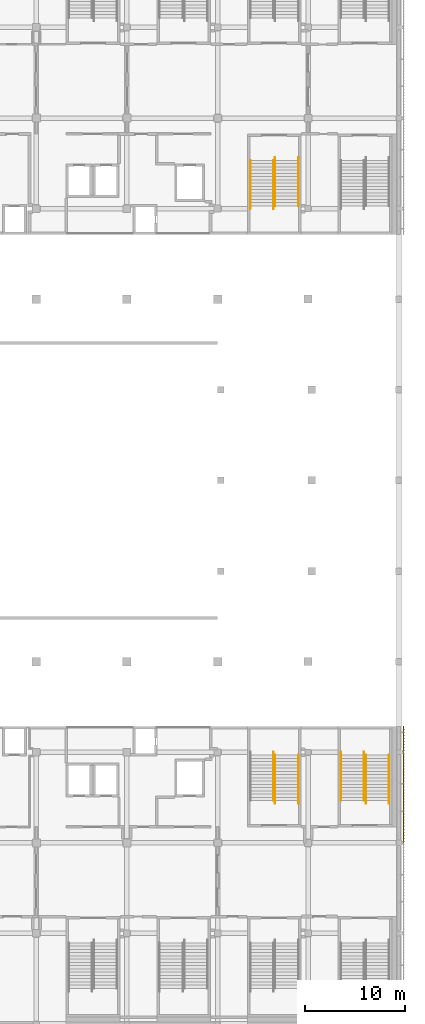
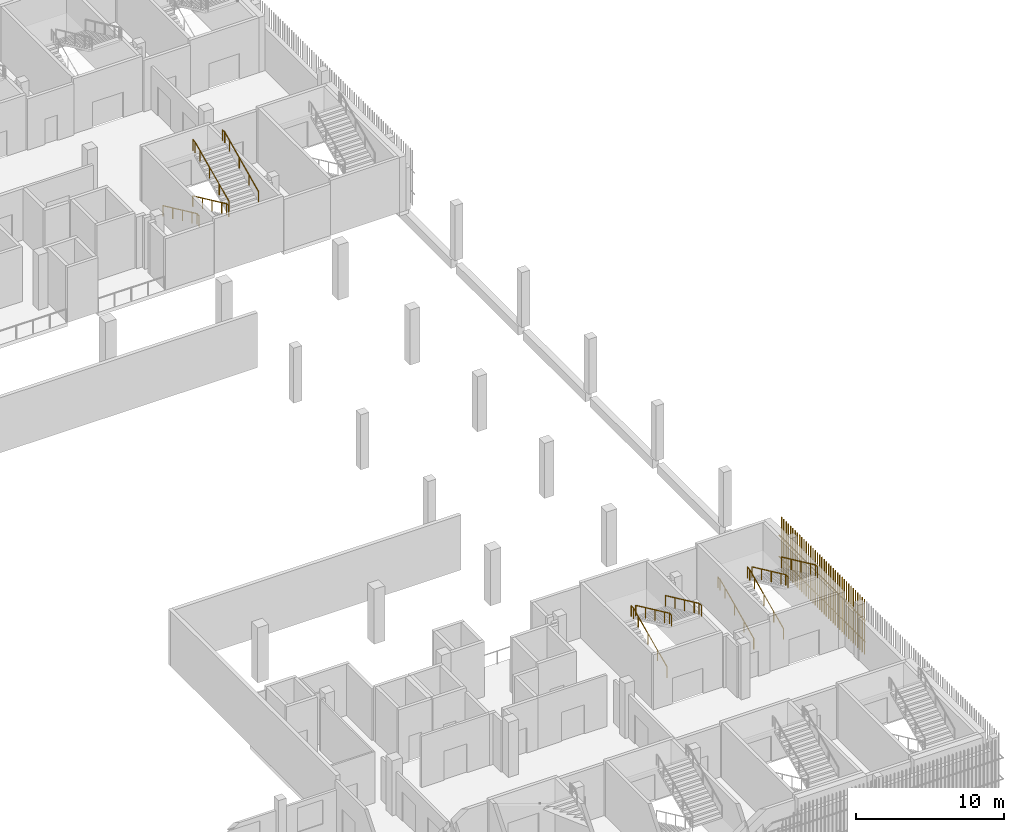
# One storey, part 101 of 104: 11 railings, 2 shading devices.
"""IFC4 building model written with IfcOpenShell, lengths in metres."""

import ifcopenshell
import ifcopenshell.guid

model = None  # the IFC model being written
_history = None  # IfcOwnerHistory: only IFC2X3 demands one
_inside = {}  # id of a spatial element -> (the spatial element, [elements in it])
_under = {}  # id of a project, library or spatial element -> (it, [spatial elements below it])
_declared = {}  # id of a project -> (the project, [libraries it declares])
_typed = {}  # id of a type object -> (the type object, [elements of that type])
_made_of = {}  # id of a material, layer set ... -> (it, [elements and type objects made of it])


def new_model(schema):
    """Start an empty IFC model of exactly this schema.

    Asked for "IFC4X3", IfcOpenShell would pick the latest addendum, in which some entities
    have other attributes; the version numbers below select the first issue.
    IFC2X3 requires an IfcOwnerHistory on every rooted entity: one is made here for all.
    """
    global model, _history
    if schema == "IFC4X3":
        model = ifcopenshell.file(schema_version=(4, 3, 0, 0))
    else:
        model = ifcopenshell.file(schema=schema)
    _inside.clear()
    _under.clear()
    _declared.clear()
    _typed.clear()
    _made_of.clear()
    _history = None
    if model.schema == "IFC2X3":
        org = make("IfcOrganization", Name="unknown")
        user = make(
            "IfcPersonAndOrganization",
            ThePerson=make("IfcPerson", FamilyName="unknown"),
            TheOrganization=org,
        )
        app = make(
            "IfcApplication",
            ApplicationDeveloper=org,
            Version="unknown",
            ApplicationFullName="unknown",
            ApplicationIdentifier="unknown",
        )
        _history = make(
            "IfcOwnerHistory",
            OwningUser=user,
            OwningApplication=app,
            ChangeAction="ADDED",
            CreationDate=0,
        )
    return model


def make(cls, **values):
    """One entity of the class cls with the attributes given. An attribute that is None is left unset."""
    return model.create_entity(
        cls, **{name: value for name, value in values.items() if value is not None}
    )


def rooted(cls, **values):
    """An entity with a GlobalId (a new one), such as an element, a storey or a relation."""
    return make(cls, GlobalId=ifcopenshell.guid.new(), OwnerHistory=_history, **values)


def si_unit(unit_type, name, prefix=None):
    """IfcSIUnit, for example si_unit("LENGTHUNIT", "METRE", prefix="MILLI")."""
    return make("IfcSIUnit", UnitType=unit_type, Prefix=prefix, Name=name)


def assignment(units):
    """IfcUnitAssignment: the units of a project."""
    return None if units is None else make("IfcUnitAssignment", Units=units)


def point(xyz):
    """IfcCartesianPoint."""
    return None if xyz is None else make("IfcCartesianPoint", Coordinates=xyz)


def direction(xyz):
    """IfcDirection."""
    return None if xyz is None else make("IfcDirection", DirectionRatios=xyz)


def frame(location, z_axis=None, x_axis=None):
    """IfcAxis2Placement3D, a coordinate frame: its origin and axes. An axis left out is left unset."""
    return make(
        "IfcAxis2Placement3D",
        Location=point(location),
        Axis=direction(z_axis),
        RefDirection=direction(x_axis),
    )


def frame_2d(location, x_axis=None):
    """IfcAxis2Placement2D, a coordinate frame in the plane: its origin and x axis."""
    return make(
        "IfcAxis2Placement2D", Location=point(location), RefDirection=direction(x_axis)
    )


def origin():
    """The frame at (0, 0, 0) with its axes left unset."""
    return frame((0.0, 0.0, 0.0))


def origin_2d():
    """The frame at (0, 0) in the plane with its x axis left unset."""
    return frame_2d((0.0, 0.0))


def place(relative_to, where):
    """IfcLocalPlacement: puts the frame where relative to a parent placement (None: the world)."""
    return make(
        "IfcLocalPlacement", PlacementRelTo=relative_to, RelativePlacement=where
    )


def context(
    kind, dimensions, precision=None, world=None, true_north=None, identifier=None
):
    """IfcGeometricRepresentationContext, for example the 3D "Model" context."""
    return make(
        "IfcGeometricRepresentationContext",
        ContextIdentifier=identifier,
        ContextType=kind,
        CoordinateSpaceDimension=dimensions,
        Precision=precision,
        WorldCoordinateSystem=world,
        TrueNorth=true_north,
    )


def subcontext(parent, identifier, kind, view, scale=None):
    """IfcGeometricRepresentationSubContext, for example "Body" below "Model"."""
    return make(
        "IfcGeometricRepresentationSubContext",
        ContextIdentifier=identifier,
        ContextType=kind,
        ParentContext=parent,
        TargetScale=scale,
        TargetView=view,
    )


def project(units=None, contexts=None):
    """IfcProject with its units and contexts."""
    return rooted(
        "IfcProject",
        Name="project",
        RepresentationContexts=contexts,
        UnitsInContext=assignment(units),
    )


def spatial(cls, under=None, at=None, **own):
    """A site, building, storey or space (cls), placed at a placement, below another one or the project."""
    s = rooted(cls, ObjectPlacement=at, **own)
    if under is not None:
        _under.setdefault(under.id(), (under, []))[1].append(s)
    return s


def profile(cls, at=None, kind="AREA", **sizes):
    """A parametric profile (cls). Its sizes go by their IFC names, for example OverallWidth=200.0."""
    return make(cls, ProfileType=kind, Position=at, **sizes)


def rectangle(**sizes):
    """IfcRectangleProfileDef."""
    return profile("IfcRectangleProfileDef", **sizes)


def circle(**sizes):
    """IfcCircleProfileDef."""
    return profile("IfcCircleProfileDef", **sizes)


def extrude(swept, where, along, depth):
    """IfcExtrudedAreaSolid: the profile swept, set in the frame where, extruded along a direction by depth."""
    return make(
        "IfcExtrudedAreaSolid",
        SweptArea=swept,
        Position=where,
        ExtrudedDirection=direction(along),
        Depth=depth,
    )


def shape(context_of_items, identifier, shape_type, items):
    """IfcShapeRepresentation: the items that make up one representation, for example the "Body"."""
    return make(
        "IfcShapeRepresentation",
        ContextOfItems=context_of_items,
        RepresentationIdentifier=identifier,
        RepresentationType=shape_type,
        Items=items,
    )


def material(Name=None, Category=None):
    """IfcMaterial."""
    return make("IfcMaterial", Name=Name, Category=Category)


def made_of(thing, what):
    """Note that an element or type object is made of a material, layer set ...; save() writes the relation."""
    if what is not None:
        _made_of.setdefault(what.id(), (what, []))[1].append(thing)
    return thing


def type_object(cls, material=None, **own):
    """A type object (cls), such as IfcWallType, which elements share."""
    return made_of(rooted(cls, **own), material)


def element(
    cls,
    number,
    at=None,
    inside=None,
    cuts=None,
    type_object=None,
    material=None,
    context=None,
    identifier="Body",
    shape_type=None,
    held_by="IfcProductDefinitionShape",
    body=None,
    shapes=None,
    **own,
):
    """One element of the class cls, such as IfcWall. Its Tag is "e" and its number.

    at: its placement. inside: the storey or other place that contains it. cuts: it is an
    opening in that element (IfcRelVoidsElement). A single representation is given by context,
    identifier, shape_type and body (its items); several are given by shapes. held_by: the class
    of the entity that holds the representations. save() writes the other relations.
    """
    e = rooted(cls, Tag="e%d" % number, ObjectPlacement=at, **own)
    if body is not None:
        shapes = [shape(context, identifier, shape_type, body)]
    if shapes is not None:
        e.Representation = make(held_by, Representations=shapes)
    if inside is not None:
        _inside.setdefault(inside.id(), (inside, []))[1].append(e)
    if cuts is not None:
        rooted(
            "IfcRelVoidsElement", RelatingBuildingElement=cuts, RelatedOpeningElement=e
        )
    if type_object is not None:
        _typed.setdefault(type_object.id(), (type_object, []))[1].append(e)
    return made_of(e, material)


def aggregate(whole, parts):
    """IfcRelAggregates: a whole, such as a stair, and the parts it consists of."""
    return rooted("IfcRelAggregates", RelatingObject=whole, RelatedObjects=parts)


def save(model, path):
    """Write the relations noted so far, then the file.

    IfcRelAggregates (storeys below a building ...), IfcRelContainedInSpatialStructure (elements
    in a storey), IfcRelDefinesByType, IfcRelAssociatesMaterial and IfcRelDeclares: one each for
    every whole, place, type object, material and project.
    """
    for whole, parts in _under.values():
        aggregate(whole, parts)
    for where, things in _inside.values():
        rooted(
            "IfcRelContainedInSpatialStructure",
            RelatedElements=things,
            RelatingStructure=where,
        )
    for kind, things in _typed.values():
        rooted("IfcRelDefinesByType", RelatedObjects=things, RelatingType=kind)
    for what, things in _made_of.values():
        rooted("IfcRelAssociatesMaterial", RelatedObjects=things, RelatingMaterial=what)
    for by, libraries in _declared.values():
        rooted("IfcRelDeclares", RelatingContext=by, RelatedDefinitions=libraries)
    model.write(path)


model = new_model("IFC4")

# Units and contexts
model_context = context("Model", 3, precision=1e-05, world=origin(), true_north=direction((0.0, 1.0)))
body_context = subcontext(model_context, "Body", "Model", "MODEL_VIEW")
ifc_project = project(units=[si_unit("LENGTHUNIT", "METRE"), si_unit("AREAUNIT", "SQUARE_METRE"), si_unit("VOLUMEUNIT", "CUBIC_METRE"), si_unit("PLANEANGLEUNIT", "RADIAN"), si_unit("MASSUNIT", "GRAM", prefix="KILO")], contexts=[model_context])

# Site, building, storey
site_placement = place(None, origin())
site = spatial("IfcSite", under=ifc_project, at=site_placement, CompositionType="ELEMENT")
building_placement = place(site_placement, origin())
building = spatial("IfcBuilding", under=site, at=building_placement, Name="Shirokan Park Arena", CompositionType="ELEMENT")
storey_placement = place(building_placement, frame((0.0, 0.0, 10.919921875)))
storey = spatial("IfcBuildingStorey", under=building, at=storey_placement, Name="L02", CompositionType="ELEMENT", Elevation=10.919921875)

# Railings
ifc_material_1 = material(Name="Stainless steel", Category="steel")
railing_type = type_object("IfcRailingType", Name="Stair handrail 900", PredefinedType="HANDRAIL", material=ifc_material_1)
railing_1_placement = place(storey_placement, frame((139.7900390625, 22.449951171875, 0.15185546875)))
element("IfcRailing", 1, at=railing_1_placement, inside=storey, type_object=railing_type, Name="Handrail Exit Stair 2.E L02 to L03", PredefinedType="HANDRAIL", context=body_context, shape_type="SweptSolid", body=[
    extrude(circle(Radius=0.02392578125, at=origin_2d()), frame((0.0, 0.0, 0.8759765625), z_axis=(0.0, 0.907094476872, 0.420927083981), x_axis=(-1.0, 0.0, 0.0)), (0.0, 0.0, 1.0), 1.440673828125),
    extrude(circle(Radius=0.02392578125, at=origin_2d()), frame((0.0, 1.306884765625, 1.482421875), z_axis=(0.0, 0.907029769225, 0.421066500378), x_axis=(-1.0, 0.0, 0.0)), (0.0, 0.0, 1.0), 1.44091796875),
    extrude(circle(Radius=0.02392578125, at=origin_2d()), frame((0.0, 2.61376953125, 2.0888671875), z_axis=(0.0, 0.906999720516, 0.421131222998), x_axis=(-1.0, 0.0, 0.0)), (0.0, 0.0, 1.0), 1.440673828125),
    extrude(circle(Radius=0.02392578125, at=origin_2d()), frame((0.0, 3.92041015625, 2.69580078125), z_axis=(0.0, 0.906934982928, 0.421270621741), x_axis=(-1.0, 0.0, 0.0)), (0.0, 0.0, 1.0), 0.720458984375),
    extrude(circle(Radius=0.02392578125, at=origin_2d()), frame((0.0, 4.57373046875, 2.9990234375), z_axis=(0.0, 1.0, 0.0), x_axis=(-1.0, 0.0, 0.0)), (0.0, 0.0, 1.0), 0.300048828125),
    extrude(circle(Radius=0.02099609375, at=origin_2d()), origin(), (0.0, 0.0, 1.0), 0.851806640625),
    extrude(circle(Radius=0.02099609375, at=origin_2d()), frame((0.0, 1.306884765625, 0.6064453125)), (0.0, 0.0, 1.0), 0.851806640625),
    extrude(circle(Radius=0.02099609375, at=origin_2d()), frame((0.0, 2.61376953125, 1.213134765625)), (0.0, 0.0, 1.0), 0.851806640625),
    extrude(circle(Radius=0.02099609375, at=origin_2d()), frame((0.0, 3.92041015625, 1.81982421875)), (0.0, 0.0, 1.0), 0.851806640625),
    extrude(circle(Radius=0.02099609375, at=origin_2d()), frame((0.0, 4.57373046875, 2.123291015625)), (0.0, 0.0, 1.0), 0.851806640625),
    extrude(circle(Radius=0.02099609375, at=origin_2d()), frame((0.0, 4.873779296875, 2.123291015625)), (0.0, 0.0, 1.0), 0.851806640625),
])
railing_2_placement = place(storey_placement, frame((142.110107421875, 22.449951171875, 0.15185546875)))
element("IfcRailing", 2, at=railing_2_placement, inside=storey, type_object=railing_type, Name="Handrail Exit Stair 2.E L02 to L03", PredefinedType="HANDRAIL", context=body_context, shape_type="SweptSolid", body=[
    extrude(circle(Radius=0.02392578125, at=origin_2d()), frame((0.0, 0.0, 0.8759765625), z_axis=(0.0, 0.907094476872, 0.420927083981), x_axis=(-1.0, 0.0, 0.0)), (0.0, 0.0, 1.0), 1.440673828125),
    extrude(circle(Radius=0.02392578125, at=origin_2d()), frame((0.0, 1.306884765625, 1.482421875), z_axis=(0.0, 0.907029769225, 0.421066500378), x_axis=(-1.0, 0.0, 0.0)), (0.0, 0.0, 1.0), 1.44091796875),
    extrude(circle(Radius=0.02392578125, at=origin_2d()), frame((0.0, 2.61376953125, 2.0888671875), z_axis=(0.0, 0.906999720516, 0.421131222998), x_axis=(-1.0, 0.0, 0.0)), (0.0, 0.0, 1.0), 1.440673828125),
    extrude(circle(Radius=0.02392578125, at=origin_2d()), frame((0.0, 3.92041015625, 2.69580078125), z_axis=(0.0, 0.906934982928, 0.421270621741), x_axis=(-1.0, 0.0, 0.0)), (0.0, 0.0, 1.0), 0.720458984375),
    extrude(circle(Radius=0.02392578125, at=origin_2d()), frame((0.0, 4.57373046875, 2.9990234375), z_axis=(0.0, 1.0, 0.0), x_axis=(-1.0, 0.0, 0.0)), (0.0, 0.0, 1.0), 0.300048828125),
    extrude(circle(Radius=0.02099609375, at=origin_2d()), origin(), (0.0, 0.0, 1.0), 0.851806640625),
    extrude(circle(Radius=0.02099609375, at=origin_2d()), frame((0.0, 1.306884765625, 0.6064453125)), (0.0, 0.0, 1.0), 0.851806640625),
    extrude(circle(Radius=0.02099609375, at=origin_2d()), frame((0.0, 2.61376953125, 1.213134765625)), (0.0, 0.0, 1.0), 0.851806640625),
    extrude(circle(Radius=0.02099609375, at=origin_2d()), frame((0.0, 3.92041015625, 1.81982421875)), (0.0, 0.0, 1.0), 0.851806640625),
    extrude(circle(Radius=0.02099609375, at=origin_2d()), frame((0.0, 4.57373046875, 2.123291015625)), (0.0, 0.0, 1.0), 0.851806640625),
    extrude(circle(Radius=0.02099609375, at=origin_2d()), frame((0.0, 4.873779296875, 2.123291015625)), (0.0, 0.0, 1.0), 0.851806640625),
])
railing_3_placement = place(storey_placement, frame((142.2900390625, 27.023681640625, 2.4267578125)))
element("IfcRailing", 3, at=railing_3_placement, inside=storey, type_object=railing_type, Name="Handrail Exit Stair 2.E L02 to L03", PredefinedType="HANDRAIL", context=body_context, shape_type="SweptSolid", body=[
    extrude(circle(Radius=0.02392578125, at=origin_2d()), frame((0.0, 0.0, 0.8759765625), z_axis=(0.0, -0.906999720516, 0.421131222998), x_axis=(1.0, 0.0, 0.0)), (0.0, 0.0, 1.0), 1.440673828125),
    extrude(circle(Radius=0.02392578125, at=origin_2d()), frame((0.0, -1.306640625, 1.482421875), z_axis=(0.0, -0.907029769225, 0.421066500378), x_axis=(1.0, 0.0, 0.0)), (0.0, 0.0, 1.0), 1.44091796875),
    extrude(circle(Radius=0.02392578125, at=origin_2d()), frame((0.0, -2.613525390625, 2.08935546875), z_axis=(0.0, -0.906999720516, 0.421131222998), x_axis=(1.0, 0.0, 0.0)), (0.0, 0.0, 1.0), 1.440673828125),
    extrude(circle(Radius=0.02392578125, at=origin_2d()), frame((0.0, -3.920166015625, 2.69580078125), z_axis=(0.0, -0.907124493983, 0.420862391306), x_axis=(1.0, 0.0, 0.0)), (0.0, 0.0, 1.0), 0.720458984375),
    extrude(circle(Radius=0.02392578125, at=origin_2d()), frame((0.0, -4.57373046875, 2.9990234375), z_axis=(0.0, -1.0, 0.0), x_axis=(1.0, 0.0, 0.0)), (0.0, 0.0, 1.0), 0.300048828125),
    extrude(circle(Radius=0.02099609375, at=origin_2d()), origin(), (0.0, 0.0, 1.0), 0.851806640625),
    extrude(circle(Radius=0.02099609375, at=origin_2d()), frame((0.0, -1.306640625, 0.606689453125)), (0.0, 0.0, 1.0), 0.851806640625),
    extrude(circle(Radius=0.02099609375, at=origin_2d()), frame((0.0, -2.613525390625, 1.21337890625)), (0.0, 0.0, 1.0), 0.851806640625),
    extrude(circle(Radius=0.02099609375, at=origin_2d()), frame((0.0, -3.920166015625, 1.820068359375)), (0.0, 0.0, 1.0), 0.851806640625),
    extrude(circle(Radius=0.02099609375, at=origin_2d()), frame((0.0, -4.57373046875, 2.123291015625)), (0.0, 0.0, 1.0), 0.851806640625),
    extrude(circle(Radius=0.02099609375, at=origin_2d()), frame((0.0, -4.873779296875, 2.123291015625)), (0.0, 0.0, 1.0), 0.851806640625),
])
railing_4_placement = place(storey_placement, frame((144.610107421875, 27.023681640625, 2.4267578125)))
element("IfcRailing", 4, at=railing_4_placement, inside=storey, type_object=railing_type, Name="Handrail Exit Stair 2.E L02 to L03", PredefinedType="HANDRAIL", context=body_context, shape_type="SweptSolid", body=[
    extrude(circle(Radius=0.02392578125, at=origin_2d()), frame((0.0, 0.0, 0.8759765625), z_axis=(0.0, -0.906999720516, 0.421131222998), x_axis=(1.0, 0.0, 0.0)), (0.0, 0.0, 1.0), 1.440673828125),
    extrude(circle(Radius=0.02392578125, at=origin_2d()), frame((0.0, -1.306640625, 1.482421875), z_axis=(0.0, -0.907029769225, 0.421066500378), x_axis=(1.0, 0.0, 0.0)), (0.0, 0.0, 1.0), 1.44091796875),
    extrude(circle(Radius=0.02392578125, at=origin_2d()), frame((0.0, -2.613525390625, 2.08935546875), z_axis=(0.0, -0.906999720516, 0.421131222998), x_axis=(1.0, 0.0, 0.0)), (0.0, 0.0, 1.0), 1.440673828125),
    extrude(circle(Radius=0.02392578125, at=origin_2d()), frame((0.0, -3.920166015625, 2.69580078125), z_axis=(0.0, -0.907124493983, 0.420862391306), x_axis=(1.0, 0.0, 0.0)), (0.0, 0.0, 1.0), 0.720458984375),
    extrude(circle(Radius=0.02392578125, at=origin_2d()), frame((0.0, -4.57373046875, 2.9990234375), z_axis=(0.0, -1.0, 0.0), x_axis=(1.0, 0.0, 0.0)), (0.0, 0.0, 1.0), 0.300048828125),
    extrude(circle(Radius=0.02099609375, at=origin_2d()), origin(), (0.0, 0.0, 1.0), 0.851806640625),
    extrude(circle(Radius=0.02099609375, at=origin_2d()), frame((0.0, -1.306640625, 0.606689453125)), (0.0, 0.0, 1.0), 0.851806640625),
    extrude(circle(Radius=0.02099609375, at=origin_2d()), frame((0.0, -2.613525390625, 1.21337890625)), (0.0, 0.0, 1.0), 0.851806640625),
    extrude(circle(Radius=0.02099609375, at=origin_2d()), frame((0.0, -3.920166015625, 1.820068359375)), (0.0, 0.0, 1.0), 0.851806640625),
    extrude(circle(Radius=0.02099609375, at=origin_2d()), frame((0.0, -4.57373046875, 2.123291015625)), (0.0, 0.0, 1.0), 0.851806640625),
    extrude(circle(Radius=0.02099609375, at=origin_2d()), frame((0.0, -4.873779296875, 2.123291015625)), (0.0, 0.0, 1.0), 0.851806640625),
])
railing_5_placement = place(storey_placement, frame((133.010009765625, 22.449951171875, 0.15185546875)))
element("IfcRailing", 5, at=railing_5_placement, inside=storey, type_object=railing_type, Name="Handrail Exit Stair 2.F L02 to L03", PredefinedType="HANDRAIL", context=body_context, shape_type="SweptSolid", body=[
    extrude(circle(Radius=0.02392578125, at=origin_2d()), frame((0.0, 0.0, 0.8759765625), z_axis=(0.0, 0.907094476872, 0.420927083981), x_axis=(-1.0, 0.0, 0.0)), (0.0, 0.0, 1.0), 1.440673828125),
    extrude(circle(Radius=0.02392578125, at=origin_2d()), frame((0.0, 1.306884765625, 1.482421875), z_axis=(0.0, 0.907029769225, 0.421066500378), x_axis=(-1.0, 0.0, 0.0)), (0.0, 0.0, 1.0), 1.44091796875),
    extrude(circle(Radius=0.02392578125, at=origin_2d()), frame((0.0, 2.61376953125, 2.0888671875), z_axis=(0.0, 0.906999720516, 0.421131222998), x_axis=(-1.0, 0.0, 0.0)), (0.0, 0.0, 1.0), 1.440673828125),
    extrude(circle(Radius=0.02392578125, at=origin_2d()), frame((0.0, 3.92041015625, 2.69580078125), z_axis=(0.0, 0.906934982928, 0.421270621741), x_axis=(-1.0, 0.0, 0.0)), (0.0, 0.0, 1.0), 0.720458984375),
    extrude(circle(Radius=0.02392578125, at=origin_2d()), frame((0.0, 4.57373046875, 2.9990234375), z_axis=(0.0, 1.0, 0.0), x_axis=(-1.0, 0.0, 0.0)), (0.0, 0.0, 1.0), 0.300048828125),
    extrude(circle(Radius=0.02099609375, at=origin_2d()), origin(), (0.0, 0.0, 1.0), 0.851806640625),
    extrude(circle(Radius=0.02099609375, at=origin_2d()), frame((0.0, 1.306884765625, 0.6064453125)), (0.0, 0.0, 1.0), 0.851806640625),
    extrude(circle(Radius=0.02099609375, at=origin_2d()), frame((0.0, 2.61376953125, 1.213134765625)), (0.0, 0.0, 1.0), 0.851806640625),
    extrude(circle(Radius=0.02099609375, at=origin_2d()), frame((0.0, 3.92041015625, 1.81982421875)), (0.0, 0.0, 1.0), 0.851806640625),
    extrude(circle(Radius=0.02099609375, at=origin_2d()), frame((0.0, 4.57373046875, 2.123291015625)), (0.0, 0.0, 1.0), 0.851806640625),
    extrude(circle(Radius=0.02099609375, at=origin_2d()), frame((0.0, 4.873779296875, 2.123291015625)), (0.0, 0.0, 1.0), 0.851806640625),
])
railing_6_placement = place(storey_placement, frame((133.18994140625, 27.023681640625, 2.4267578125)))
element("IfcRailing", 6, at=railing_6_placement, inside=storey, type_object=railing_type, Name="Handrail Exit Stair 2.F L02 to L03", PredefinedType="HANDRAIL", context=body_context, shape_type="SweptSolid", body=[
    extrude(circle(Radius=0.02392578125, at=origin_2d()), frame((0.0, 0.0, 0.8759765625), z_axis=(0.0, -0.906999720516, 0.421131222998), x_axis=(1.0, 0.0, 0.0)), (0.0, 0.0, 1.0), 1.440673828125),
    extrude(circle(Radius=0.02392578125, at=origin_2d()), frame((0.0, -1.306640625, 1.482421875), z_axis=(0.0, -0.907029769225, 0.421066500378), x_axis=(1.0, 0.0, 0.0)), (0.0, 0.0, 1.0), 1.44091796875),
    extrude(circle(Radius=0.02392578125, at=origin_2d()), frame((0.0, -2.613525390625, 2.08935546875), z_axis=(0.0, -0.906999720516, 0.421131222998), x_axis=(1.0, 0.0, 0.0)), (0.0, 0.0, 1.0), 1.440673828125),
    extrude(circle(Radius=0.02392578125, at=origin_2d()), frame((0.0, -3.920166015625, 2.69580078125), z_axis=(0.0, -0.907124493983, 0.420862391306), x_axis=(1.0, 0.0, 0.0)), (0.0, 0.0, 1.0), 0.720458984375),
    extrude(circle(Radius=0.02392578125, at=origin_2d()), frame((0.0, -4.57373046875, 2.9990234375), z_axis=(0.0, -1.0, 0.0), x_axis=(1.0, 0.0, 0.0)), (0.0, 0.0, 1.0), 0.300048828125),
    extrude(circle(Radius=0.02099609375, at=origin_2d()), origin(), (0.0, 0.0, 1.0), 0.851806640625),
    extrude(circle(Radius=0.02099609375, at=origin_2d()), frame((0.0, -1.306640625, 0.606689453125)), (0.0, 0.0, 1.0), 0.851806640625),
    extrude(circle(Radius=0.02099609375, at=origin_2d()), frame((0.0, -2.613525390625, 1.21337890625)), (0.0, 0.0, 1.0), 0.851806640625),
    extrude(circle(Radius=0.02099609375, at=origin_2d()), frame((0.0, -3.920166015625, 1.820068359375)), (0.0, 0.0, 1.0), 0.851806640625),
    extrude(circle(Radius=0.02099609375, at=origin_2d()), frame((0.0, -4.57373046875, 2.123291015625)), (0.0, 0.0, 1.0), 0.851806640625),
    extrude(circle(Radius=0.02099609375, at=origin_2d()), frame((0.0, -4.873779296875, 2.123291015625)), (0.0, 0.0, 1.0), 0.851806640625),
])
railing_7_placement = place(storey_placement, frame((135.510009765625, 27.023681640625, 2.4267578125)))
element("IfcRailing", 7, at=railing_7_placement, inside=storey, type_object=railing_type, Name="Handrail Exit Stair 2.F L02 to L03", PredefinedType="HANDRAIL", context=body_context, shape_type="SweptSolid", body=[
    extrude(circle(Radius=0.02392578125, at=origin_2d()), frame((0.0, 0.0, 0.8759765625), z_axis=(0.0, -0.906999720516, 0.421131222998), x_axis=(1.0, 0.0, 0.0)), (0.0, 0.0, 1.0), 1.440673828125),
    extrude(circle(Radius=0.02392578125, at=origin_2d()), frame((0.0, -1.306640625, 1.482421875), z_axis=(0.0, -0.907029769225, 0.421066500378), x_axis=(1.0, 0.0, 0.0)), (0.0, 0.0, 1.0), 1.44091796875),
    extrude(circle(Radius=0.02392578125, at=origin_2d()), frame((0.0, -2.613525390625, 2.08935546875), z_axis=(0.0, -0.906999720516, 0.421131222998), x_axis=(1.0, 0.0, 0.0)), (0.0, 0.0, 1.0), 1.440673828125),
    extrude(circle(Radius=0.02392578125, at=origin_2d()), frame((0.0, -3.920166015625, 2.69580078125), z_axis=(0.0, -0.907124493983, 0.420862391306), x_axis=(1.0, 0.0, 0.0)), (0.0, 0.0, 1.0), 0.720458984375),
    extrude(circle(Radius=0.02392578125, at=origin_2d()), frame((0.0, -4.57373046875, 2.9990234375), z_axis=(0.0, -1.0, 0.0), x_axis=(1.0, 0.0, 0.0)), (0.0, 0.0, 1.0), 0.300048828125),
    extrude(circle(Radius=0.02099609375, at=origin_2d()), origin(), (0.0, 0.0, 1.0), 0.851806640625),
    extrude(circle(Radius=0.02099609375, at=origin_2d()), frame((0.0, -1.306640625, 0.606689453125)), (0.0, 0.0, 1.0), 0.851806640625),
    extrude(circle(Radius=0.02099609375, at=origin_2d()), frame((0.0, -2.613525390625, 1.21337890625)), (0.0, 0.0, 1.0), 0.851806640625),
    extrude(circle(Radius=0.02099609375, at=origin_2d()), frame((0.0, -3.920166015625, 1.820068359375)), (0.0, 0.0, 1.0), 0.851806640625),
    extrude(circle(Radius=0.02099609375, at=origin_2d()), frame((0.0, -4.57373046875, 2.123291015625)), (0.0, 0.0, 1.0), 0.851806640625),
    extrude(circle(Radius=0.02099609375, at=origin_2d()), frame((0.0, -4.873779296875, 2.123291015625)), (0.0, 0.0, 1.0), 0.851806640625),
])
railing_8_placement = place(storey_placement, frame((130.68994140625, 86.75, 0.15185546875)))
element("IfcRailing", 8, at=railing_8_placement, inside=storey, type_object=railing_type, Name="Handrail Exit Stair 3.F L02 to L03", PredefinedType="HANDRAIL", context=body_context, shape_type="SweptSolid", body=[
    extrude(circle(Radius=0.02392578125, at=origin_2d()), frame((0.0, 0.0, 0.8759765625), z_axis=(0.0, -0.907094476872, 0.420927083981), x_axis=(1.0, 0.0, 0.0)), (0.0, 0.0, 1.0), 1.440673828125),
    extrude(circle(Radius=0.02392578125, at=origin_2d()), frame((0.0, -1.306884765625, 1.482421875), z_axis=(0.0, -0.906999720516, 0.421131222998), x_axis=(1.0, 0.0, 0.0)), (0.0, 0.0, 1.0), 1.440673828125),
    extrude(circle(Radius=0.02392578125, at=origin_2d()), frame((0.0, -2.613525390625, 2.0888671875), z_axis=(0.0, -0.907029769225, 0.421066500378), x_axis=(1.0, 0.0, 0.0)), (0.0, 0.0, 1.0), 1.44091796875),
    extrude(circle(Radius=0.02392578125, at=origin_2d()), frame((0.0, -3.92041015625, 2.69580078125), z_axis=(0.0, -0.906934982928, 0.421270621741), x_axis=(1.0, 0.0, 0.0)), (0.0, 0.0, 1.0), 0.720458984375),
    extrude(circle(Radius=0.02392578125, at=origin_2d()), frame((0.0, -4.57373046875, 2.9990234375), z_axis=(0.0, -1.0, 0.0), x_axis=(1.0, 0.0, 0.0)), (0.0, 0.0, 1.0), 0.300048828125),
    extrude(circle(Radius=0.02099609375, at=origin_2d()), origin(), (0.0, 0.0, 1.0), 0.851806640625),
    extrude(circle(Radius=0.02099609375, at=origin_2d()), frame((0.0, -1.306884765625, 0.6064453125)), (0.0, 0.0, 1.0), 0.851806640625),
    extrude(circle(Radius=0.02099609375, at=origin_2d()), frame((0.0, -2.613525390625, 1.213134765625)), (0.0, 0.0, 1.0), 0.851806640625),
    extrude(circle(Radius=0.02099609375, at=origin_2d()), frame((0.0, -3.92041015625, 1.81982421875)), (0.0, 0.0, 1.0), 0.851806640625),
    extrude(circle(Radius=0.02099609375, at=origin_2d()), frame((0.0, -4.57373046875, 2.123291015625)), (0.0, 0.0, 1.0), 0.851806640625),
    extrude(circle(Radius=0.02099609375, at=origin_2d()), frame((0.0, -4.873779296875, 2.123291015625)), (0.0, 0.0, 1.0), 0.851806640625),
])
railing_9_placement = place(storey_placement, frame((133.010009765625, 86.75, 0.15185546875)))
element("IfcRailing", 9, at=railing_9_placement, inside=storey, type_object=railing_type, Name="Handrail Exit Stair 3.F L02 to L03", PredefinedType="HANDRAIL", context=body_context, shape_type="SweptSolid", body=[
    extrude(circle(Radius=0.02392578125, at=origin_2d()), frame((0.0, 0.0, 0.8759765625), z_axis=(0.0, -0.907094476872, 0.420927083981), x_axis=(1.0, 0.0, 0.0)), (0.0, 0.0, 1.0), 1.440673828125),
    extrude(circle(Radius=0.02392578125, at=origin_2d()), frame((0.0, -1.306884765625, 1.482421875), z_axis=(0.0, -0.906999720516, 0.421131222998), x_axis=(1.0, 0.0, 0.0)), (0.0, 0.0, 1.0), 1.440673828125),
    extrude(circle(Radius=0.02392578125, at=origin_2d()), frame((0.0, -2.613525390625, 2.0888671875), z_axis=(0.0, -0.907029769225, 0.421066500378), x_axis=(1.0, 0.0, 0.0)), (0.0, 0.0, 1.0), 1.44091796875),
    extrude(circle(Radius=0.02392578125, at=origin_2d()), frame((0.0, -3.92041015625, 2.69580078125), z_axis=(0.0, -0.906934982928, 0.421270621741), x_axis=(1.0, 0.0, 0.0)), (0.0, 0.0, 1.0), 0.720458984375),
    extrude(circle(Radius=0.02392578125, at=origin_2d()), frame((0.0, -4.57373046875, 2.9990234375), z_axis=(0.0, -1.0, 0.0), x_axis=(1.0, 0.0, 0.0)), (0.0, 0.0, 1.0), 0.300048828125),
    extrude(circle(Radius=0.02099609375, at=origin_2d()), origin(), (0.0, 0.0, 1.0), 0.851806640625),
    extrude(circle(Radius=0.02099609375, at=origin_2d()), frame((0.0, -1.306884765625, 0.6064453125)), (0.0, 0.0, 1.0), 0.851806640625),
    extrude(circle(Radius=0.02099609375, at=origin_2d()), frame((0.0, -2.613525390625, 1.213134765625)), (0.0, 0.0, 1.0), 0.851806640625),
    extrude(circle(Radius=0.02099609375, at=origin_2d()), frame((0.0, -3.92041015625, 1.81982421875)), (0.0, 0.0, 1.0), 0.851806640625),
    extrude(circle(Radius=0.02099609375, at=origin_2d()), frame((0.0, -4.57373046875, 2.123291015625)), (0.0, 0.0, 1.0), 0.851806640625),
    extrude(circle(Radius=0.02099609375, at=origin_2d()), frame((0.0, -4.873779296875, 2.123291015625)), (0.0, 0.0, 1.0), 0.851806640625),
])
railing_10_placement = place(storey_placement, frame((133.18994140625, 82.17626953125, 2.4267578125)))
element("IfcRailing", 10, at=railing_10_placement, inside=storey, type_object=railing_type, Name="Handrail Exit Stair 3.F L02 to L03", PredefinedType="HANDRAIL", context=body_context, shape_type="SweptSolid", body=[
    extrude(circle(Radius=0.02392578125, at=origin_2d()), frame((0.0, 0.0, 0.8759765625), z_axis=(0.0, 0.906999720516, 0.421131222998), x_axis=(-1.0, 0.0, 0.0)), (0.0, 0.0, 1.0), 1.440673828125),
    extrude(circle(Radius=0.02392578125, at=origin_2d()), frame((0.0, 1.306640625, 1.482421875), z_axis=(0.0, 0.907029769225, 0.421066500378), x_axis=(-1.0, 0.0, 0.0)), (0.0, 0.0, 1.0), 1.44091796875),
    extrude(circle(Radius=0.02392578125, at=origin_2d()), frame((0.0, 2.613525390625, 2.08935546875), z_axis=(0.0, 0.907029769225, 0.421066500378), x_axis=(-1.0, 0.0, 0.0)), (0.0, 0.0, 1.0), 1.44091796875),
    extrude(circle(Radius=0.02392578125, at=origin_2d()), frame((0.0, 3.92041015625, 2.69580078125), z_axis=(0.0, 0.907064445915, 0.420991794405), x_axis=(-1.0, 0.0, 0.0)), (0.0, 0.0, 1.0), 0.72021484375),
    extrude(circle(Radius=0.02392578125, at=origin_2d()), frame((0.0, 4.57373046875, 2.9990234375), z_axis=(0.0, 1.0, 0.0), x_axis=(-1.0, 0.0, 0.0)), (0.0, 0.0, 1.0), 0.300048828125),
    extrude(circle(Radius=0.02099609375, at=origin_2d()), origin(), (0.0, 0.0, 1.0), 0.851806640625),
    extrude(circle(Radius=0.02099609375, at=origin_2d()), frame((0.0, 1.306640625, 0.606689453125)), (0.0, 0.0, 1.0), 0.851806640625),
    extrude(circle(Radius=0.02099609375, at=origin_2d()), frame((0.0, 2.613525390625, 1.21337890625)), (0.0, 0.0, 1.0), 0.851806640625),
    extrude(circle(Radius=0.02099609375, at=origin_2d()), frame((0.0, 3.92041015625, 1.820068359375)), (0.0, 0.0, 1.0), 0.851806640625),
    extrude(circle(Radius=0.02099609375, at=origin_2d()), frame((0.0, 4.57373046875, 2.123291015625)), (0.0, 0.0, 1.0), 0.851806640625),
    extrude(circle(Radius=0.02099609375, at=origin_2d()), frame((0.0, 4.873779296875, 2.123291015625)), (0.0, 0.0, 1.0), 0.851806640625),
])
railing_11_placement = place(storey_placement, frame((135.510009765625, 82.17626953125, 2.4267578125)))
element("IfcRailing", 11, at=railing_11_placement, inside=storey, type_object=railing_type, Name="Handrail Exit Stair 3.F L02 to L03", PredefinedType="HANDRAIL", context=body_context, shape_type="SweptSolid", body=[
    extrude(circle(Radius=0.02392578125, at=origin_2d()), frame((0.0, 0.0, 0.8759765625), z_axis=(0.0, 0.906999720516, 0.421131222998), x_axis=(-1.0, 0.0, 0.0)), (0.0, 0.0, 1.0), 1.440673828125),
    extrude(circle(Radius=0.02392578125, at=origin_2d()), frame((0.0, 1.306640625, 1.482421875), z_axis=(0.0, 0.907029769225, 0.421066500378), x_axis=(-1.0, 0.0, 0.0)), (0.0, 0.0, 1.0), 1.44091796875),
    extrude(circle(Radius=0.02392578125, at=origin_2d()), frame((0.0, 2.613525390625, 2.08935546875), z_axis=(0.0, 0.907029769225, 0.421066500378), x_axis=(-1.0, 0.0, 0.0)), (0.0, 0.0, 1.0), 1.44091796875),
    extrude(circle(Radius=0.02392578125, at=origin_2d()), frame((0.0, 3.92041015625, 2.69580078125), z_axis=(0.0, 0.907064445915, 0.420991794405), x_axis=(-1.0, 0.0, 0.0)), (0.0, 0.0, 1.0), 0.72021484375),
    extrude(circle(Radius=0.02392578125, at=origin_2d()), frame((0.0, 4.57373046875, 2.9990234375), z_axis=(0.0, 1.0, 0.0), x_axis=(-1.0, 0.0, 0.0)), (0.0, 0.0, 1.0), 0.300048828125),
    extrude(circle(Radius=0.02099609375, at=origin_2d()), origin(), (0.0, 0.0, 1.0), 0.851806640625),
    extrude(circle(Radius=0.02099609375, at=origin_2d()), frame((0.0, 1.306640625, 0.606689453125)), (0.0, 0.0, 1.0), 0.851806640625),
    extrude(circle(Radius=0.02099609375, at=origin_2d()), frame((0.0, 2.613525390625, 1.21337890625)), (0.0, 0.0, 1.0), 0.851806640625),
    extrude(circle(Radius=0.02099609375, at=origin_2d()), frame((0.0, 3.92041015625, 1.820068359375)), (0.0, 0.0, 1.0), 0.851806640625),
    extrude(circle(Radius=0.02099609375, at=origin_2d()), frame((0.0, 4.57373046875, 2.123291015625)), (0.0, 0.0, 1.0), 0.851806640625),
    extrude(circle(Radius=0.02099609375, at=origin_2d()), frame((0.0, 4.873779296875, 2.123291015625)), (0.0, 0.0, 1.0), 0.851806640625),
])

# Shading devices
ifc_material_2 = material(Name="Timber louvre veil (cedar)", Category="wood")
shading_device_type = type_object("IfcShadingDeviceType", Name="Timber louvre veil panel", PredefinedType="JALOUSIE", material=ifc_material_2)
shading_device_1_placement = place(storey_placement, origin())
element("IfcShadingDevice", 12, at=shading_device_1_placement, inside=storey, type_object=shading_device_type, Name="Timber louvre veil east bay 3 L02", PredefinedType="JALOUSIE", context=body_context, shape_type="SweptSolid", body=[
    extrude(rectangle(XDim=0.050048828125, YDim=0.080078125, at=origin_2d()), frame((146.0849609375, 18.3515625, 0.0), z_axis=(0.0, 0.0, 1.0), x_axis=(0.0, 1.0, 0.0)), (0.0, 0.0, 1.0), 4.550048828125),
    extrude(rectangle(XDim=0.050048828125, YDim=0.080078125, at=origin_2d()), frame((146.0849609375, 18.655029296875, 0.0), z_axis=(0.0, 0.0, 1.0), x_axis=(0.0, 1.0, 0.0)), (0.0, 0.0, 1.0), 4.550048828125),
    extrude(rectangle(XDim=0.050048828125, YDim=0.080078125, at=origin_2d()), frame((146.0849609375, 18.958251953125, 0.0), z_axis=(0.0, 0.0, 1.0), x_axis=(0.0, 1.0, 0.0)), (0.0, 0.0, 1.0), 4.550048828125),
    extrude(rectangle(XDim=0.050048828125, YDim=0.080078125, at=origin_2d()), frame((146.0849609375, 19.26171875, 0.0), z_axis=(0.0, 0.0, 1.0), x_axis=(0.0, 1.0, 0.0)), (0.0, 0.0, 1.0), 4.550048828125),
    extrude(rectangle(XDim=0.050048828125, YDim=0.080078125, at=origin_2d()), frame((146.0849609375, 19.56494140625, 0.0), z_axis=(0.0, 0.0, 1.0), x_axis=(0.0, 1.0, 0.0)), (0.0, 0.0, 1.0), 4.550048828125),
    extrude(rectangle(XDim=0.050048828125, YDim=0.080078125, at=origin_2d()), frame((146.0849609375, 19.868408203125, 0.0), z_axis=(0.0, 0.0, 1.0), x_axis=(0.0, 1.0, 0.0)), (0.0, 0.0, 1.0), 4.550048828125),
    extrude(rectangle(XDim=0.050048828125, YDim=0.080078125, at=origin_2d()), frame((146.0849609375, 20.171630859375, 0.0), z_axis=(0.0, 0.0, 1.0), x_axis=(0.0, 1.0, 0.0)), (0.0, 0.0, 1.0), 4.550048828125),
    extrude(rectangle(XDim=0.050048828125, YDim=0.080078125, at=origin_2d()), frame((146.0849609375, 20.47509765625, 0.0), z_axis=(0.0, 0.0, 1.0), x_axis=(0.0, 1.0, 0.0)), (0.0, 0.0, 1.0), 4.550048828125),
    extrude(rectangle(XDim=0.050048828125, YDim=0.080078125, at=origin_2d()), frame((146.0849609375, 20.7783203125, 0.0), z_axis=(0.0, 0.0, 1.0), x_axis=(0.0, 1.0, 0.0)), (0.0, 0.0, 1.0), 4.550048828125),
    extrude(rectangle(XDim=0.050048828125, YDim=0.080078125, at=origin_2d()), frame((146.0849609375, 21.081787109375, 0.0), z_axis=(0.0, 0.0, 1.0), x_axis=(0.0, 1.0, 0.0)), (0.0, 0.0, 1.0), 4.550048828125),
    extrude(rectangle(XDim=0.050048828125, YDim=0.080078125, at=origin_2d()), frame((146.0849609375, 21.385009765625, 0.0), z_axis=(0.0, 0.0, 1.0), x_axis=(0.0, 1.0, 0.0)), (0.0, 0.0, 1.0), 4.550048828125),
    extrude(rectangle(XDim=0.050048828125, YDim=0.080078125, at=origin_2d()), frame((146.0849609375, 21.688232421875, 0.0), z_axis=(0.0, 0.0, 1.0), x_axis=(0.0, 1.0, 0.0)), (0.0, 0.0, 1.0), 4.550048828125),
    extrude(rectangle(XDim=0.050048828125, YDim=0.080078125, at=origin_2d()), frame((146.0849609375, 21.99169921875, 0.0), z_axis=(0.0, 0.0, 1.0), x_axis=(0.0, 1.0, 0.0)), (0.0, 0.0, 1.0), 4.550048828125),
    extrude(rectangle(XDim=0.050048828125, YDim=0.080078125, at=origin_2d()), frame((146.0849609375, 22.294921875, 0.0), z_axis=(0.0, 0.0, 1.0), x_axis=(0.0, 1.0, 0.0)), (0.0, 0.0, 1.0), 4.550048828125),
    extrude(rectangle(XDim=0.050048828125, YDim=0.080078125, at=origin_2d()), frame((146.0849609375, 22.598388671875, 0.0), z_axis=(0.0, 0.0, 1.0), x_axis=(0.0, 1.0, 0.0)), (0.0, 0.0, 1.0), 4.550048828125),
    extrude(rectangle(XDim=0.050048828125, YDim=0.080078125, at=origin_2d()), frame((146.0849609375, 22.901611328125, 0.0), z_axis=(0.0, 0.0, 1.0), x_axis=(0.0, 1.0, 0.0)), (0.0, 0.0, 1.0), 4.550048828125),
    extrude(rectangle(XDim=0.050048828125, YDim=0.080078125, at=origin_2d()), frame((146.0849609375, 23.205078125, 0.0), z_axis=(0.0, 0.0, 1.0), x_axis=(0.0, 1.0, 0.0)), (0.0, 0.0, 1.0), 4.550048828125),
    extrude(rectangle(XDim=0.050048828125, YDim=0.080078125, at=origin_2d()), frame((146.0849609375, 23.50830078125, 0.0), z_axis=(0.0, 0.0, 1.0), x_axis=(0.0, 1.0, 0.0)), (0.0, 0.0, 1.0), 4.550048828125),
    extrude(rectangle(XDim=0.050048828125, YDim=0.080078125, at=origin_2d()), frame((146.0849609375, 23.811767578125, 0.0), z_axis=(0.0, 0.0, 1.0), x_axis=(0.0, 1.0, 0.0)), (0.0, 0.0, 1.0), 4.550048828125),
    extrude(rectangle(XDim=0.050048828125, YDim=0.080078125, at=origin_2d()), frame((146.0849609375, 24.114990234375, 0.0), z_axis=(0.0, 0.0, 1.0), x_axis=(0.0, 1.0, 0.0)), (0.0, 0.0, 1.0), 4.550048828125),
    extrude(rectangle(XDim=0.050048828125, YDim=0.080078125, at=origin_2d()), frame((146.0849609375, 24.418212890625, 0.0), z_axis=(0.0, 0.0, 1.0), x_axis=(0.0, 1.0, 0.0)), (0.0, 0.0, 1.0), 4.550048828125),
    extrude(rectangle(XDim=0.050048828125, YDim=0.080078125, at=origin_2d()), frame((146.0849609375, 24.7216796875, 0.0), z_axis=(0.0, 0.0, 1.0), x_axis=(0.0, 1.0, 0.0)), (0.0, 0.0, 1.0), 4.550048828125),
    extrude(rectangle(XDim=0.050048828125, YDim=0.080078125, at=origin_2d()), frame((146.0849609375, 25.02490234375, 0.0), z_axis=(0.0, 0.0, 1.0), x_axis=(0.0, 1.0, 0.0)), (0.0, 0.0, 1.0), 4.550048828125),
    extrude(rectangle(XDim=0.050048828125, YDim=0.080078125, at=origin_2d()), frame((146.0849609375, 25.328369140625, 0.0), z_axis=(0.0, 0.0, 1.0), x_axis=(0.0, 1.0, 0.0)), (0.0, 0.0, 1.0), 4.550048828125),
    extrude(rectangle(XDim=0.050048828125, YDim=0.080078125, at=origin_2d()), frame((146.0849609375, 25.631591796875, 0.0), z_axis=(0.0, 0.0, 1.0), x_axis=(0.0, 1.0, 0.0)), (0.0, 0.0, 1.0), 4.550048828125),
    extrude(rectangle(XDim=0.050048828125, YDim=0.080078125, at=origin_2d()), frame((146.0849609375, 25.93505859375, 0.0), z_axis=(0.0, 0.0, 1.0), x_axis=(0.0, 1.0, 0.0)), (0.0, 0.0, 1.0), 4.550048828125),
    extrude(rectangle(XDim=0.050048828125, YDim=0.080078125, at=origin_2d()), frame((146.0849609375, 26.23828125, 0.0), z_axis=(0.0, 0.0, 1.0), x_axis=(0.0, 1.0, 0.0)), (0.0, 0.0, 1.0), 4.550048828125),
    extrude(rectangle(XDim=0.050048828125, YDim=0.080078125, at=origin_2d()), frame((146.0849609375, 26.541748046875, 0.0), z_axis=(0.0, 0.0, 1.0), x_axis=(0.0, 1.0, 0.0)), (0.0, 0.0, 1.0), 4.550048828125),
    extrude(rectangle(XDim=0.050048828125, YDim=0.080078125, at=origin_2d()), frame((146.0849609375, 26.844970703125, 0.0), z_axis=(0.0, 0.0, 1.0), x_axis=(0.0, 1.0, 0.0)), (0.0, 0.0, 1.0), 4.550048828125),
    extrude(rectangle(XDim=0.050048828125, YDim=0.080078125, at=origin_2d()), frame((146.0849609375, 27.1484375, 0.0), z_axis=(0.0, 0.0, 1.0), x_axis=(0.0, 1.0, 0.0)), (0.0, 0.0, 1.0), 4.550048828125),
    extrude(rectangle(XDim=9.10009765625, YDim=0.050048828125, at=origin_2d()), frame((146.070068359375, 22.75, 1.06005859375), z_axis=(0.0, 0.0, 1.0), x_axis=(0.0, 1.0, 0.0)), (0.0, 0.0, 1.0), 0.080078125),
    extrude(rectangle(XDim=9.10009765625, YDim=0.050048828125, at=origin_2d()), frame((146.070068359375, 22.75, 2.81005859375), z_axis=(0.0, 0.0, 1.0), x_axis=(0.0, 1.0, 0.0)), (0.0, 0.0, 1.0), 0.080078125),
])
shading_device_2_placement = place(storey_placement, origin())
element("IfcShadingDevice", 13, at=shading_device_2_placement, inside=storey, type_object=shading_device_type, Name="Timber louvre veil east bay 4 L02", PredefinedType="JALOUSIE", context=body_context, shape_type="SweptSolid", body=[
    extrude(rectangle(XDim=0.050048828125, YDim=0.080078125, at=origin_2d()), frame((146.0849609375, 27.45166015625, 0.0), z_axis=(0.0, 0.0, 1.0), x_axis=(0.0, 1.0, 0.0)), (0.0, 0.0, 1.0), 4.550048828125),
    extrude(rectangle(XDim=0.050048828125, YDim=0.080078125, at=origin_2d()), frame((146.0849609375, 27.7548828125, 0.0), z_axis=(0.0, 0.0, 1.0), x_axis=(0.0, 1.0, 0.0)), (0.0, 0.0, 1.0), 4.550048828125),
    extrude(rectangle(XDim=0.050048828125, YDim=0.080078125, at=origin_2d()), frame((146.0849609375, 28.058349609375, 0.0), z_axis=(0.0, 0.0, 1.0), x_axis=(0.0, 1.0, 0.0)), (0.0, 0.0, 1.0), 4.550048828125),
    extrude(rectangle(XDim=0.050048828125, YDim=0.080078125, at=origin_2d()), frame((146.0849609375, 28.361572265625, 0.0), z_axis=(0.0, 0.0, 1.0), x_axis=(0.0, 1.0, 0.0)), (0.0, 0.0, 1.0), 4.550048828125),
    extrude(rectangle(XDim=0.050048828125, YDim=0.080078125, at=origin_2d()), frame((146.0849609375, 28.6650390625, 0.0), z_axis=(0.0, 0.0, 1.0), x_axis=(0.0, 1.0, 0.0)), (0.0, 0.0, 1.0), 4.550048828125),
    extrude(rectangle(XDim=0.050048828125, YDim=0.080078125, at=origin_2d()), frame((146.0849609375, 28.96826171875, 0.0), z_axis=(0.0, 0.0, 1.0), x_axis=(0.0, 1.0, 0.0)), (0.0, 0.0, 1.0), 4.550048828125),
    extrude(rectangle(XDim=0.050048828125, YDim=0.080078125, at=origin_2d()), frame((146.0849609375, 29.271728515625, 0.0), z_axis=(0.0, 0.0, 1.0), x_axis=(0.0, 1.0, 0.0)), (0.0, 0.0, 1.0), 4.550048828125),
    extrude(rectangle(XDim=0.050048828125, YDim=0.080078125, at=origin_2d()), frame((146.0849609375, 29.574951171875, 0.0), z_axis=(0.0, 0.0, 1.0), x_axis=(0.0, 1.0, 0.0)), (0.0, 0.0, 1.0), 4.550048828125),
    extrude(rectangle(XDim=2.60009765625, YDim=0.050048828125, at=origin_2d()), frame((146.070068359375, 28.60009765625, 1.06005859375), z_axis=(0.0, 0.0, 1.0), x_axis=(0.0, 1.0, 0.0)), (0.0, 0.0, 1.0), 0.080078125),
    extrude(rectangle(XDim=2.60009765625, YDim=0.050048828125, at=origin_2d()), frame((146.070068359375, 28.60009765625, 2.81005859375), z_axis=(0.0, 0.0, 1.0), x_axis=(0.0, 1.0, 0.0)), (0.0, 0.0, 1.0), 0.080078125),
])

save(model, "model.ifc")
